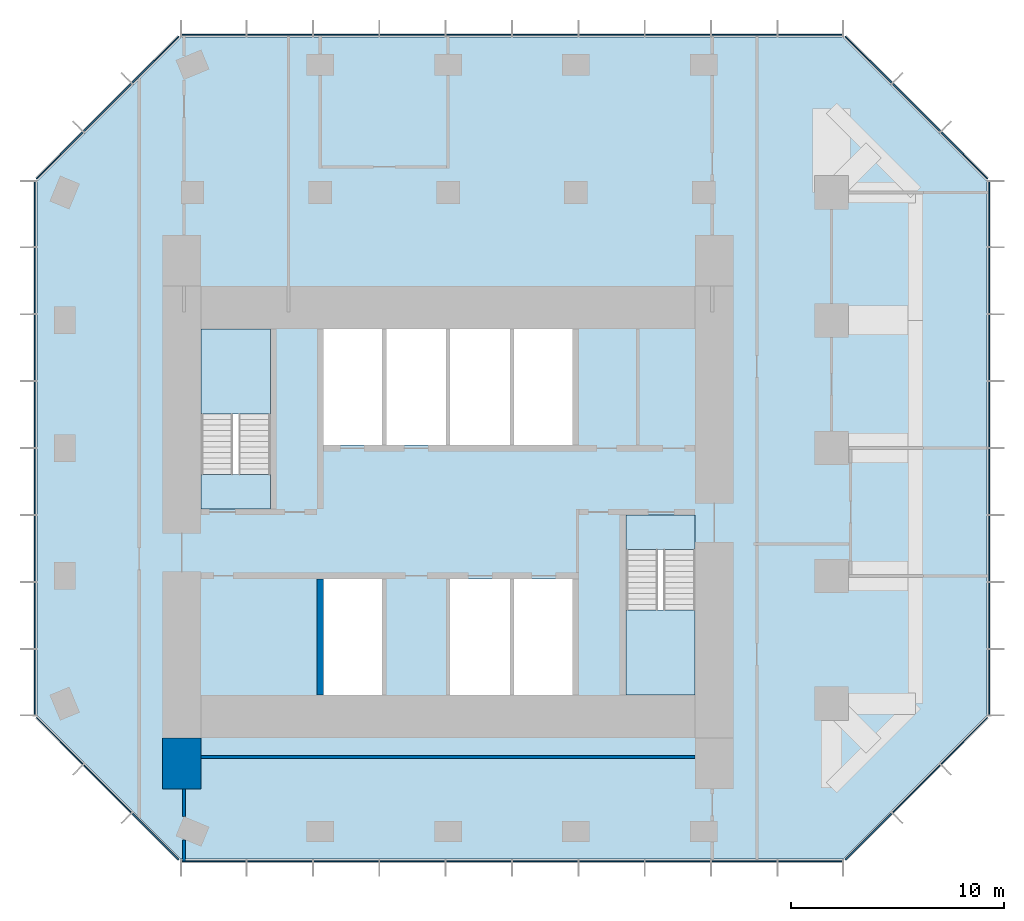
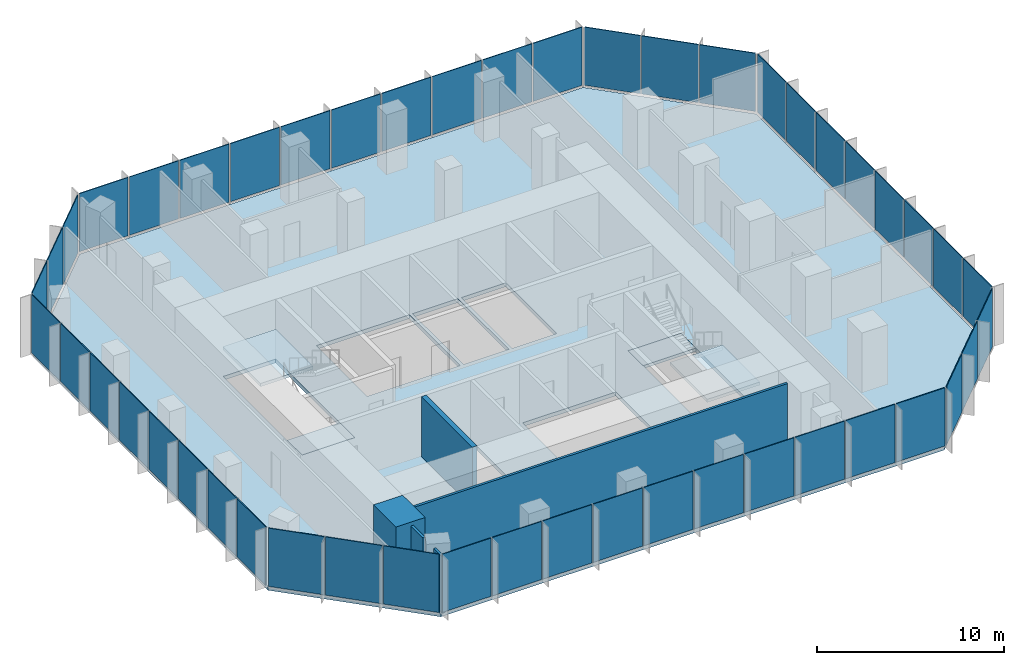
# One storey, part 7 of 10: 48 plates, 5 slabs, 5 walls, 10 elements without a shape of their own.
"""IFC4 building model written with IfcOpenShell, lengths in metres."""

from ifc_helpers import new_model, si_unit, direction, frame, frame_2d, origin, origin_2d, place, context, subcontext, project, spatial, polyline, rectangle, outline, extrude, material, layer, layer_set, type_object, element, aggregate, save


model = new_model("IFC4")

# Units and contexts
model_context = context("Model", 3, precision=1e-05, world=origin(), true_north=direction((0.0, 1.0)))
body_context = subcontext(model_context, "Body", "Model", "MODEL_VIEW")
ifc_project = project(units=[si_unit("LENGTHUNIT", "METRE"), si_unit("AREAUNIT", "SQUARE_METRE"), si_unit("VOLUMEUNIT", "CUBIC_METRE"), si_unit("PLANEANGLEUNIT", "RADIAN"), si_unit("MASSUNIT", "GRAM", prefix="KILO")], contexts=[model_context])

# Site, building, storey
site_placement = place(None, origin())
site = spatial("IfcSite", under=ifc_project, at=site_placement, CompositionType="ELEMENT")
building_placement = place(site_placement, origin())
building = spatial("IfcBuilding", under=site, at=building_placement, Name="Highveld Stack Headquarters", CompositionType="ELEMENT")
storey_placement = place(building_placement, frame((0.0, 0.0, 256.699951171875)))
storey = spatial("IfcBuildingStorey", under=building, at=storey_placement, Name="L63", CompositionType="ELEMENT", Elevation=256.699951171875)

# Curtain wall, plates
ifc_material_1 = material(Name="Aluminium bronze anodised", Category="aluminium")
ifc_layer_1 = layer(ifc_material_1, 0.199951171875)
ifc_layer_set_1 = layer_set([ifc_layer_1], Name="Aluminium bronze anodised")
curtain_wall_type = type_object("IfcCurtainWallType", Name="CW5 EXECUTIVE UNITISED CURTAIN WALL", PredefinedType="NOTDEFINED", material=ifc_layer_set_1)
curtain_wall_1_placement = place(storey_placement, origin())
curtain_wall_1 = element("IfcCurtainWall", 1, at=curtain_wall_1_placement, inside=storey, type_object=curtain_wall_type, Name="Curtain wall CW5 L63 S", PredefinedType="NOTDEFINED")
ifc_material_2 = material(Name="Glass bronze tinted triple glazed unit", Category="glass")
ifc_layer_2 = layer(ifc_material_2, 0.050048828125)
ifc_layer_set_2 = layer_set([ifc_layer_2], Name="Glass bronze tinted triple glazed unit")
plate_type = type_object("IfcPlateType", Name="CW5 PANEL BRONZE TINTED TRIPLE GLAZED UNIT", PredefinedType="CURTAIN_PANEL", material=ifc_layer_set_2)
plate_1_placement = place(storey_placement, frame((-5.005615234375, -13.39990234375, 0.10009765625), z_axis=(0.0, 0.0, 1.0), x_axis=(1.0, 0.0, 0.0)))
plate_1 = element("IfcPlate", 2, at=plate_1_placement, type_object=plate_type, Name="CW5 panel L63 1.1", PredefinedType="CURTAIN_PANEL", context=body_context, shape_type="SweptSolid", body=[
    extrude(rectangle(XDim=3.0185546875, YDim=0.050048828125, at=origin_2d()), origin(), (0.0, 0.0, 1.0), 3.800048828125),
])
plate_2_placement = place(storey_placement, frame((-1.906005859375, -13.39990234375, 0.10009765625), z_axis=(0.0, 0.0, 1.0), x_axis=(1.0, 0.0, 0.0)))
plate_2 = element("IfcPlate", 3, at=plate_2_placement, type_object=plate_type, Name="CW5 panel L63 2.1", PredefinedType="CURTAIN_PANEL", context=body_context, shape_type="SweptSolid", body=[
    extrude(rectangle(XDim=3.051025390625, YDim=0.050048828125, at=origin_2d()), origin(), (0.0, 0.0, 1.0), 3.800048828125),
])
plate_3_placement = place(storey_placement, frame((1.2099609375, -13.39990234375, 0.10009765625), z_axis=(0.0, 0.0, 1.0), x_axis=(1.0, 0.0, 0.0)))
plate_3 = element("IfcPlate", 4, at=plate_3_placement, type_object=plate_type, Name="CW5 panel L63 3.1", PredefinedType="CURTAIN_PANEL", context=body_context, shape_type="SweptSolid", body=[
    extrude(rectangle(XDim=3.051025390625, YDim=0.050048828125, at=origin_2d()), origin(), (0.0, 0.0, 1.0), 3.800048828125),
])
plate_4_placement = place(storey_placement, frame((4.325927734375, -13.39990234375, 0.10009765625), z_axis=(0.0, 0.0, 1.0), x_axis=(1.0, 0.0, 0.0)))
plate_4 = element("IfcPlate", 5, at=plate_4_placement, type_object=plate_type, Name="CW5 panel L63 4.1", PredefinedType="CURTAIN_PANEL", context=body_context, shape_type="SweptSolid", body=[
    extrude(rectangle(XDim=3.051025390625, YDim=0.050048828125, at=origin_2d()), origin(), (0.0, 0.0, 1.0), 3.800048828125),
])
plate_5_placement = place(storey_placement, frame((7.44189453125, -13.39990234375, 0.10009765625), z_axis=(0.0, 0.0, 1.0), x_axis=(1.0, 0.0, 0.0)))
plate_5 = element("IfcPlate", 6, at=plate_5_placement, type_object=plate_type, Name="CW5 panel L63 5.1", PredefinedType="CURTAIN_PANEL", context=body_context, shape_type="SweptSolid", body=[
    extrude(rectangle(XDim=3.051025390625, YDim=0.050048828125, at=origin_2d()), origin(), (0.0, 0.0, 1.0), 3.800048828125),
])
plate_6_placement = place(storey_placement, frame((10.55810546875, -13.39990234375, 0.10009765625), z_axis=(0.0, 0.0, 1.0), x_axis=(1.0, 0.0, 0.0)))
plate_6 = element("IfcPlate", 7, at=plate_6_placement, type_object=plate_type, Name="CW5 panel L63 6.1", PredefinedType="CURTAIN_PANEL", context=body_context, shape_type="SweptSolid", body=[
    extrude(rectangle(XDim=3.051025390625, YDim=0.050048828125, at=origin_2d()), origin(), (0.0, 0.0, 1.0), 3.800048828125),
])
plate_7_placement = place(storey_placement, frame((13.674072265625, -13.39990234375, 0.10009765625), z_axis=(0.0, 0.0, 1.0), x_axis=(1.0, 0.0, 0.0)))
plate_7 = element("IfcPlate", 8, at=plate_7_placement, type_object=plate_type, Name="CW5 panel L63 7.1", PredefinedType="CURTAIN_PANEL", context=body_context, shape_type="SweptSolid", body=[
    extrude(rectangle(XDim=3.051025390625, YDim=0.050048828125, at=origin_2d()), origin(), (0.0, 0.0, 1.0), 3.800048828125),
])
plate_8_placement = place(storey_placement, frame((16.789794921875, -13.39990234375, 0.10009765625), z_axis=(0.0, 0.0, 1.0), x_axis=(1.0, 0.0, 0.0)))
plate_8 = element("IfcPlate", 9, at=plate_8_placement, type_object=plate_type, Name="CW5 panel L63 8.1", PredefinedType="CURTAIN_PANEL", context=body_context, shape_type="SweptSolid", body=[
    extrude(rectangle(XDim=3.051025390625, YDim=0.050048828125, at=origin_2d()), origin(), (0.0, 0.0, 1.0), 3.800048828125),
])
plate_9_placement = place(storey_placement, frame((19.906005859375, -13.39990234375, 0.10009765625), z_axis=(0.0, 0.0, 1.0), x_axis=(1.0, 0.0, 0.0)))
plate_9 = element("IfcPlate", 10, at=plate_9_placement, type_object=plate_type, Name="CW5 panel L63 9.1", PredefinedType="CURTAIN_PANEL", context=body_context, shape_type="SweptSolid", body=[
    extrude(rectangle(XDim=3.051025390625, YDim=0.050048828125, at=origin_2d()), origin(), (0.0, 0.0, 1.0), 3.800048828125),
])
plate_10_placement = place(storey_placement, frame((23.005615234375, -13.39990234375, 0.10009765625), z_axis=(0.0, 0.0, 1.0), x_axis=(1.0, 0.0, 0.0)))
plate_10 = element("IfcPlate", 11, at=plate_10_placement, type_object=plate_type, Name="CW5 panel L63 10.1", PredefinedType="CURTAIN_PANEL", context=body_context, shape_type="SweptSolid", body=[
    extrude(rectangle(XDim=3.0185546875, YDim=0.050048828125, at=origin_2d()), origin(), (0.0, 0.0, 1.0), 3.800048828125),
])
aggregate(curtain_wall_1, [plate_1, plate_2, plate_3, plate_4, plate_5, plate_6, plate_7, plate_8, plate_9, plate_10])

curtain_wall_2_placement = place(storey_placement, origin())
curtain_wall_2 = element("IfcCurtainWall", 12, at=curtain_wall_2_placement, inside=storey, type_object=curtain_wall_type, Name="Curtain wall CW5 L63 SE", PredefinedType="NOTDEFINED")
plate_11_placement = place(storey_placement, frame((25.740478515625, -12.239501953125, 0.10009765625), z_axis=(0.0, 0.0, 1.0), x_axis=(0.707106781187, 0.707106781187, 0.0)))
plate_11 = element("IfcPlate", 13, at=plate_11_placement, type_object=plate_type, Name="CW5 panel L63 1.1", PredefinedType="CURTAIN_PANEL", context=body_context, shape_type="SweptSolid", body=[
    extrude(rectangle(XDim=3.08251953125, YDim=0.050048828125, at=origin_2d()), origin(), (0.0, 0.0, 1.0), 3.800048828125),
])
plate_12_placement = place(storey_placement, frame((27.989990234375, -9.989990234375, 0.10009765625), z_axis=(0.0, 0.0, 1.0), x_axis=(0.707106781187, 0.707106781187, 0.0)))
plate_12 = element("IfcPlate", 14, at=plate_12_placement, type_object=plate_type, Name="CW5 panel L63 2.1", PredefinedType="CURTAIN_PANEL", context=body_context, shape_type="SweptSolid", body=[
    extrude(rectangle(XDim=3.14990234375, YDim=0.050048828125, at=origin_2d()), origin(), (0.0, 0.0, 1.0), 3.800048828125),
])
plate_13_placement = place(storey_placement, frame((30.239501953125, -7.740478515625, 0.10009765625), z_axis=(0.0, 0.0, 1.0), x_axis=(0.707106781187, 0.707106781187, 0.0)))
plate_13 = element("IfcPlate", 15, at=plate_13_placement, type_object=plate_type, Name="CW5 panel L63 3.1", PredefinedType="CURTAIN_PANEL", context=body_context, shape_type="SweptSolid", body=[
    extrude(rectangle(XDim=3.08251953125, YDim=0.050048828125, at=origin_2d()), origin(), (0.0, 0.0, 1.0), 3.800048828125),
])
aggregate(curtain_wall_2, [plate_11, plate_12, plate_13])

curtain_wall_3_placement = place(storey_placement, origin())
curtain_wall_3 = element("IfcCurtainWall", 16, at=curtain_wall_3_placement, inside=storey, type_object=curtain_wall_type, Name="Curtain wall CW5 L63 E", PredefinedType="NOTDEFINED")
plate_14_placement = place(storey_placement, frame((31.39990234375, -4.9912109375, 0.10009765625), z_axis=(0.0, 0.0, 1.0), x_axis=(0.0, 1.0, 0.0)))
plate_14 = element("IfcPlate", 17, at=plate_14_placement, type_object=plate_type, Name="CW5 panel L63 1.1", PredefinedType="CURTAIN_PANEL", context=body_context, shape_type="SweptSolid", body=[
    extrude(rectangle(XDim=3.047607421875, YDim=0.050048828125, at=origin_2d()), origin(), (0.0, 0.0, 1.0), 3.800048828125),
])
plate_15_placement = place(storey_placement, frame((31.39990234375, -1.8623046875, 0.10009765625), z_axis=(0.0, 0.0, 1.0), x_axis=(0.0, 1.0, 0.0)))
plate_15 = element("IfcPlate", 18, at=plate_15_placement, type_object=plate_type, Name="CW5 panel L63 2.1", PredefinedType="CURTAIN_PANEL", context=body_context, shape_type="SweptSolid", body=[
    extrude(rectangle(XDim=3.080078125, YDim=0.050048828125, at=origin_2d()), origin(), (0.0, 0.0, 1.0), 3.800048828125),
])
plate_16_placement = place(storey_placement, frame((31.39990234375, 1.282470703125, 0.10009765625), z_axis=(0.0, 0.0, 1.0), x_axis=(0.0, 1.0, 0.0)))
plate_16 = element("IfcPlate", 19, at=plate_16_placement, type_object=plate_type, Name="CW5 panel L63 3.1", PredefinedType="CURTAIN_PANEL", context=body_context, shape_type="SweptSolid", body=[
    extrude(rectangle(XDim=3.080078125, YDim=0.050048828125, at=origin_2d()), origin(), (0.0, 0.0, 1.0), 3.800048828125),
])
plate_17_placement = place(storey_placement, frame((31.39990234375, 4.427490234375, 0.10009765625), z_axis=(0.0, 0.0, 1.0), x_axis=(0.0, 1.0, 0.0)))
plate_17 = element("IfcPlate", 20, at=plate_17_placement, type_object=plate_type, Name="CW5 panel L63 4.1", PredefinedType="CURTAIN_PANEL", context=body_context, shape_type="SweptSolid", body=[
    extrude(rectangle(XDim=3.080078125, YDim=0.050048828125, at=origin_2d()), origin(), (0.0, 0.0, 1.0), 3.800048828125),
])
plate_18_placement = place(storey_placement, frame((31.39990234375, 7.572509765625, 0.10009765625), z_axis=(0.0, 0.0, 1.0), x_axis=(0.0, 1.0, 0.0)))
plate_18 = element("IfcPlate", 21, at=plate_18_placement, type_object=plate_type, Name="CW5 panel L63 5.1", PredefinedType="CURTAIN_PANEL", context=body_context, shape_type="SweptSolid", body=[
    extrude(rectangle(XDim=3.080078125, YDim=0.050048828125, at=origin_2d()), origin(), (0.0, 0.0, 1.0), 3.800048828125),
])
plate_19_placement = place(storey_placement, frame((31.39990234375, 10.717529296875, 0.10009765625), z_axis=(0.0, 0.0, 1.0), x_axis=(0.0, 1.0, 0.0)))
plate_19 = element("IfcPlate", 22, at=plate_19_placement, type_object=plate_type, Name="CW5 panel L63 6.1", PredefinedType="CURTAIN_PANEL", context=body_context, shape_type="SweptSolid", body=[
    extrude(rectangle(XDim=3.080078125, YDim=0.050048828125, at=origin_2d()), origin(), (0.0, 0.0, 1.0), 3.800048828125),
])
plate_20_placement = place(storey_placement, frame((31.39990234375, 13.8623046875, 0.10009765625), z_axis=(0.0, 0.0, 1.0), x_axis=(0.0, 1.0, 0.0)))
plate_20 = element("IfcPlate", 23, at=plate_20_placement, type_object=plate_type, Name="CW5 panel L63 7.1", PredefinedType="CURTAIN_PANEL", context=body_context, shape_type="SweptSolid", body=[
    extrude(rectangle(XDim=3.080078125, YDim=0.050048828125, at=origin_2d()), origin(), (0.0, 0.0, 1.0), 3.800048828125),
])
plate_21_placement = place(storey_placement, frame((31.39990234375, 16.9912109375, 0.10009765625), z_axis=(0.0, 0.0, 1.0), x_axis=(0.0, 1.0, 0.0)))
plate_21 = element("IfcPlate", 24, at=plate_21_placement, type_object=plate_type, Name="CW5 panel L63 8.1", PredefinedType="CURTAIN_PANEL", context=body_context, shape_type="SweptSolid", body=[
    extrude(rectangle(XDim=3.047607421875, YDim=0.050048828125, at=origin_2d()), origin(), (0.0, 0.0, 1.0), 3.800048828125),
])
aggregate(curtain_wall_3, [plate_14, plate_15, plate_16, plate_17, plate_18, plate_19, plate_20, plate_21])

curtain_wall_4_placement = place(storey_placement, origin())
curtain_wall_4 = element("IfcCurtainWall", 25, at=curtain_wall_4_placement, inside=storey, type_object=curtain_wall_type, Name="Curtain wall CW5 L63 NE", PredefinedType="NOTDEFINED")
plate_22_placement = place(storey_placement, frame((30.239501953125, 19.740478515625, 0.10009765625), z_axis=(0.0, 0.0, 1.0), x_axis=(-0.707106781187, 0.707106781187, 0.0)))
plate_22 = element("IfcPlate", 26, at=plate_22_placement, type_object=plate_type, Name="CW5 panel L63 1.1", PredefinedType="CURTAIN_PANEL", context=body_context, shape_type="SweptSolid", body=[
    extrude(rectangle(XDim=3.08251953125, YDim=0.050048828125, at=origin_2d()), origin(), (0.0, 0.0, 1.0), 3.800048828125),
])
plate_23_placement = place(storey_placement, frame((27.989990234375, 21.989990234375, 0.10009765625), z_axis=(0.0, 0.0, 1.0), x_axis=(-0.707106781187, 0.707106781187, 0.0)))
plate_23 = element("IfcPlate", 27, at=plate_23_placement, type_object=plate_type, Name="CW5 panel L63 2.1", PredefinedType="CURTAIN_PANEL", context=body_context, shape_type="SweptSolid", body=[
    extrude(rectangle(XDim=3.14990234375, YDim=0.050048828125, at=origin_2d()), origin(), (0.0, 0.0, 1.0), 3.800048828125),
])
plate_24_placement = place(storey_placement, frame((25.740478515625, 24.239501953125, 0.10009765625), z_axis=(0.0, 0.0, 1.0), x_axis=(-0.707106781187, 0.707106781187, 0.0)))
plate_24 = element("IfcPlate", 28, at=plate_24_placement, type_object=plate_type, Name="CW5 panel L63 3.1", PredefinedType="CURTAIN_PANEL", context=body_context, shape_type="SweptSolid", body=[
    extrude(rectangle(XDim=3.08251953125, YDim=0.050048828125, at=origin_2d()), origin(), (0.0, 0.0, 1.0), 3.800048828125),
])
aggregate(curtain_wall_4, [plate_22, plate_23, plate_24])

curtain_wall_5_placement = place(storey_placement, origin())
curtain_wall_5 = element("IfcCurtainWall", 29, at=curtain_wall_5_placement, inside=storey, type_object=curtain_wall_type, Name="Curtain wall CW5 L63 N", PredefinedType="NOTDEFINED")
plate_25_placement = place(storey_placement, frame((23.005615234375, 25.39990234375, 0.10009765625), z_axis=(0.0, 0.0, 1.0), x_axis=(-1.0, 0.0, 0.0)))
plate_25 = element("IfcPlate", 30, at=plate_25_placement, type_object=plate_type, Name="CW5 panel L63 1.1", PredefinedType="CURTAIN_PANEL", context=body_context, shape_type="SweptSolid", body=[
    extrude(rectangle(XDim=3.0185546875, YDim=0.050048828125, at=origin_2d()), origin(), (0.0, 0.0, 1.0), 3.800048828125),
])
plate_26_placement = place(storey_placement, frame((19.906005859375, 25.39990234375, 0.10009765625), z_axis=(0.0, 0.0, 1.0), x_axis=(-1.0, 0.0, 0.0)))
plate_26 = element("IfcPlate", 31, at=plate_26_placement, type_object=plate_type, Name="CW5 panel L63 2.1", PredefinedType="CURTAIN_PANEL", context=body_context, shape_type="SweptSolid", body=[
    extrude(rectangle(XDim=3.051025390625, YDim=0.050048828125, at=origin_2d()), origin(), (0.0, 0.0, 1.0), 3.800048828125),
])
plate_27_placement = place(storey_placement, frame((16.7900390625, 25.39990234375, 0.10009765625), z_axis=(0.0, 0.0, 1.0), x_axis=(-1.0, 0.0, 0.0)))
plate_27 = element("IfcPlate", 32, at=plate_27_placement, type_object=plate_type, Name="CW5 panel L63 3.1", PredefinedType="CURTAIN_PANEL", context=body_context, shape_type="SweptSolid", body=[
    extrude(rectangle(XDim=3.051025390625, YDim=0.050048828125, at=origin_2d()), origin(), (0.0, 0.0, 1.0), 3.800048828125),
])
plate_28_placement = place(storey_placement, frame((13.674072265625, 25.39990234375, 0.10009765625), z_axis=(0.0, 0.0, 1.0), x_axis=(-1.0, 0.0, 0.0)))
plate_28 = element("IfcPlate", 33, at=plate_28_placement, type_object=plate_type, Name="CW5 panel L63 4.1", PredefinedType="CURTAIN_PANEL", context=body_context, shape_type="SweptSolid", body=[
    extrude(rectangle(XDim=3.051025390625, YDim=0.050048828125, at=origin_2d()), origin(), (0.0, 0.0, 1.0), 3.800048828125),
])
plate_29_placement = place(storey_placement, frame((10.55810546875, 25.39990234375, 0.10009765625), z_axis=(0.0, 0.0, 1.0), x_axis=(-1.0, 0.0, 0.0)))
plate_29 = element("IfcPlate", 34, at=plate_29_placement, type_object=plate_type, Name="CW5 panel L63 5.1", PredefinedType="CURTAIN_PANEL", context=body_context, shape_type="SweptSolid", body=[
    extrude(rectangle(XDim=3.051025390625, YDim=0.050048828125, at=origin_2d()), origin(), (0.0, 0.0, 1.0), 3.800048828125),
])
plate_30_placement = place(storey_placement, frame((7.44189453125, 25.39990234375, 0.10009765625), z_axis=(0.0, 0.0, 1.0), x_axis=(-1.0, 0.0, 0.0)))
plate_30 = element("IfcPlate", 35, at=plate_30_placement, type_object=plate_type, Name="CW5 panel L63 6.1", PredefinedType="CURTAIN_PANEL", context=body_context, shape_type="SweptSolid", body=[
    extrude(rectangle(XDim=3.051025390625, YDim=0.050048828125, at=origin_2d()), origin(), (0.0, 0.0, 1.0), 3.800048828125),
])
plate_31_placement = place(storey_placement, frame((4.325927734375, 25.39990234375, 0.10009765625), z_axis=(0.0, 0.0, 1.0), x_axis=(-1.0, 0.0, 0.0)))
plate_31 = element("IfcPlate", 36, at=plate_31_placement, type_object=plate_type, Name="CW5 panel L63 7.1", PredefinedType="CURTAIN_PANEL", context=body_context, shape_type="SweptSolid", body=[
    extrude(rectangle(XDim=3.051025390625, YDim=0.050048828125, at=origin_2d()), origin(), (0.0, 0.0, 1.0), 3.800048828125),
])
plate_32_placement = place(storey_placement, frame((1.210205078125, 25.39990234375, 0.10009765625), z_axis=(0.0, 0.0, 1.0), x_axis=(-1.0, 0.0, 0.0)))
plate_32 = element("IfcPlate", 37, at=plate_32_placement, type_object=plate_type, Name="CW5 panel L63 8.1", PredefinedType="CURTAIN_PANEL", context=body_context, shape_type="SweptSolid", body=[
    extrude(rectangle(XDim=3.051025390625, YDim=0.050048828125, at=origin_2d()), origin(), (0.0, 0.0, 1.0), 3.800048828125),
])
plate_33_placement = place(storey_placement, frame((-1.906005859375, 25.39990234375, 0.10009765625), z_axis=(0.0, 0.0, 1.0), x_axis=(-1.0, 0.0, 0.0)))
plate_33 = element("IfcPlate", 38, at=plate_33_placement, type_object=plate_type, Name="CW5 panel L63 9.1", PredefinedType="CURTAIN_PANEL", context=body_context, shape_type="SweptSolid", body=[
    extrude(rectangle(XDim=3.051025390625, YDim=0.050048828125, at=origin_2d()), origin(), (0.0, 0.0, 1.0), 3.800048828125),
])
plate_34_placement = place(storey_placement, frame((-5.005615234375, 25.39990234375, 0.10009765625), z_axis=(0.0, 0.0, 1.0), x_axis=(-1.0, 0.0, 0.0)))
plate_34 = element("IfcPlate", 39, at=plate_34_placement, type_object=plate_type, Name="CW5 panel L63 10.1", PredefinedType="CURTAIN_PANEL", context=body_context, shape_type="SweptSolid", body=[
    extrude(rectangle(XDim=3.0185546875, YDim=0.050048828125, at=origin_2d()), origin(), (0.0, 0.0, 1.0), 3.800048828125),
])
aggregate(curtain_wall_5, [plate_25, plate_26, plate_27, plate_28, plate_29, plate_30, plate_31, plate_32, plate_33, plate_34])

curtain_wall_6_placement = place(storey_placement, origin())
curtain_wall_6 = element("IfcCurtainWall", 40, at=curtain_wall_6_placement, inside=storey, type_object=curtain_wall_type, Name="Curtain wall CW5 L63 NW", PredefinedType="NOTDEFINED")
plate_35_placement = place(storey_placement, frame((-7.740478515625, 24.239501953125, 0.10009765625), z_axis=(0.0, 0.0, 1.0), x_axis=(-0.707106781187, -0.707106781187, 0.0)))
plate_35 = element("IfcPlate", 41, at=plate_35_placement, type_object=plate_type, Name="CW5 panel L63 1.1", PredefinedType="CURTAIN_PANEL", context=body_context, shape_type="SweptSolid", body=[
    extrude(rectangle(XDim=3.08251953125, YDim=0.050048828125, at=origin_2d()), origin(), (0.0, 0.0, 1.0), 3.800048828125),
])
plate_36_placement = place(storey_placement, frame((-9.989990234375, 21.989990234375, 0.10009765625), z_axis=(0.0, 0.0, 1.0), x_axis=(-0.707106781187, -0.707106781187, 0.0)))
plate_36 = element("IfcPlate", 42, at=plate_36_placement, type_object=plate_type, Name="CW5 panel L63 2.1", PredefinedType="CURTAIN_PANEL", context=body_context, shape_type="SweptSolid", body=[
    extrude(rectangle(XDim=3.14990234375, YDim=0.050048828125, at=origin_2d()), origin(), (0.0, 0.0, 1.0), 3.800048828125),
])
plate_37_placement = place(storey_placement, frame((-12.239501953125, 19.740478515625, 0.10009765625), z_axis=(0.0, 0.0, 1.0), x_axis=(-0.707106781187, -0.707106781187, 0.0)))
plate_37 = element("IfcPlate", 43, at=plate_37_placement, type_object=plate_type, Name="CW5 panel L63 3.1", PredefinedType="CURTAIN_PANEL", context=body_context, shape_type="SweptSolid", body=[
    extrude(rectangle(XDim=3.08251953125, YDim=0.050048828125, at=origin_2d()), origin(), (0.0, 0.0, 1.0), 3.800048828125),
])
aggregate(curtain_wall_6, [plate_35, plate_36, plate_37])

curtain_wall_7_placement = place(storey_placement, origin())
curtain_wall_7 = element("IfcCurtainWall", 44, at=curtain_wall_7_placement, inside=storey, type_object=curtain_wall_type, Name="Curtain wall CW5 L63 W", PredefinedType="NOTDEFINED")
plate_38_placement = place(storey_placement, frame((-13.39990234375, 16.9912109375, 0.10009765625), z_axis=(0.0, 0.0, 1.0), x_axis=(0.0, -1.0, 0.0)))
plate_38 = element("IfcPlate", 45, at=plate_38_placement, type_object=plate_type, Name="CW5 panel L63 1.1", PredefinedType="CURTAIN_PANEL", context=body_context, shape_type="SweptSolid", body=[
    extrude(rectangle(XDim=3.047607421875, YDim=0.050048828125, at=origin_2d()), origin(), (0.0, 0.0, 1.0), 3.800048828125),
])
plate_39_placement = place(storey_placement, frame((-13.39990234375, 13.8623046875, 0.10009765625), z_axis=(0.0, 0.0, 1.0), x_axis=(0.0, -1.0, 0.0)))
plate_39 = element("IfcPlate", 46, at=plate_39_placement, type_object=plate_type, Name="CW5 panel L63 2.1", PredefinedType="CURTAIN_PANEL", context=body_context, shape_type="SweptSolid", body=[
    extrude(rectangle(XDim=3.080078125, YDim=0.050048828125, at=origin_2d()), origin(), (0.0, 0.0, 1.0), 3.800048828125),
])
plate_40_placement = place(storey_placement, frame((-13.39990234375, 10.717529296875, 0.10009765625), z_axis=(0.0, 0.0, 1.0), x_axis=(0.0, -1.0, 0.0)))
plate_40 = element("IfcPlate", 47, at=plate_40_placement, type_object=plate_type, Name="CW5 panel L63 3.1", PredefinedType="CURTAIN_PANEL", context=body_context, shape_type="SweptSolid", body=[
    extrude(rectangle(XDim=3.080078125, YDim=0.050048828125, at=origin_2d()), origin(), (0.0, 0.0, 1.0), 3.800048828125),
])
plate_41_placement = place(storey_placement, frame((-13.39990234375, 7.572509765625, 0.10009765625), z_axis=(0.0, 0.0, 1.0), x_axis=(0.0, -1.0, 0.0)))
plate_41 = element("IfcPlate", 48, at=plate_41_placement, type_object=plate_type, Name="CW5 panel L63 4.1", PredefinedType="CURTAIN_PANEL", context=body_context, shape_type="SweptSolid", body=[
    extrude(rectangle(XDim=3.080078125, YDim=0.050048828125, at=origin_2d()), origin(), (0.0, 0.0, 1.0), 3.800048828125),
])
plate_42_placement = place(storey_placement, frame((-13.39990234375, 4.427490234375, 0.10009765625), z_axis=(0.0, 0.0, 1.0), x_axis=(0.0, -1.0, 0.0)))
plate_42 = element("IfcPlate", 49, at=plate_42_placement, type_object=plate_type, Name="CW5 panel L63 5.1", PredefinedType="CURTAIN_PANEL", context=body_context, shape_type="SweptSolid", body=[
    extrude(rectangle(XDim=3.080078125, YDim=0.050048828125, at=origin_2d()), origin(), (0.0, 0.0, 1.0), 3.800048828125),
])
plate_43_placement = place(storey_placement, frame((-13.39990234375, 1.282470703125, 0.10009765625), z_axis=(0.0, 0.0, 1.0), x_axis=(0.0, -1.0, 0.0)))
plate_43 = element("IfcPlate", 50, at=plate_43_placement, type_object=plate_type, Name="CW5 panel L63 6.1", PredefinedType="CURTAIN_PANEL", context=body_context, shape_type="SweptSolid", body=[
    extrude(rectangle(XDim=3.080078125, YDim=0.050048828125, at=origin_2d()), origin(), (0.0, 0.0, 1.0), 3.800048828125),
])
plate_44_placement = place(storey_placement, frame((-13.39990234375, -1.8623046875, 0.10009765625), z_axis=(0.0, 0.0, 1.0), x_axis=(0.0, -1.0, 0.0)))
plate_44 = element("IfcPlate", 51, at=plate_44_placement, type_object=plate_type, Name="CW5 panel L63 7.1", PredefinedType="CURTAIN_PANEL", context=body_context, shape_type="SweptSolid", body=[
    extrude(rectangle(XDim=3.080078125, YDim=0.050048828125, at=origin_2d()), origin(), (0.0, 0.0, 1.0), 3.800048828125),
])
plate_45_placement = place(storey_placement, frame((-13.39990234375, -4.9912109375, 0.10009765625), z_axis=(0.0, 0.0, 1.0), x_axis=(0.0, -1.0, 0.0)))
plate_45 = element("IfcPlate", 52, at=plate_45_placement, type_object=plate_type, Name="CW5 panel L63 8.1", PredefinedType="CURTAIN_PANEL", context=body_context, shape_type="SweptSolid", body=[
    extrude(rectangle(XDim=3.047607421875, YDim=0.050048828125, at=origin_2d()), origin(), (0.0, 0.0, 1.0), 3.800048828125),
])
aggregate(curtain_wall_7, [plate_38, plate_39, plate_40, plate_41, plate_42, plate_43, plate_44, plate_45])

curtain_wall_8_placement = place(storey_placement, origin())
curtain_wall_8 = element("IfcCurtainWall", 53, at=curtain_wall_8_placement, inside=storey, type_object=curtain_wall_type, Name="Curtain wall CW5 L63 SW", PredefinedType="NOTDEFINED")
plate_46_placement = place(storey_placement, frame((-12.239501953125, -7.740478515625, 0.10009765625), z_axis=(0.0, 0.0, 1.0), x_axis=(0.707106781187, -0.707106781187, 0.0)))
plate_46 = element("IfcPlate", 54, at=plate_46_placement, type_object=plate_type, Name="CW5 panel L63 1.1", PredefinedType="CURTAIN_PANEL", context=body_context, shape_type="SweptSolid", body=[
    extrude(rectangle(XDim=3.08251953125, YDim=0.050048828125, at=origin_2d()), origin(), (0.0, 0.0, 1.0), 3.800048828125),
])
plate_47_placement = place(storey_placement, frame((-9.989990234375, -9.989990234375, 0.10009765625), z_axis=(0.0, 0.0, 1.0), x_axis=(0.707106781187, -0.707106781187, 0.0)))
plate_47 = element("IfcPlate", 55, at=plate_47_placement, type_object=plate_type, Name="CW5 panel L63 2.1", PredefinedType="CURTAIN_PANEL", context=body_context, shape_type="SweptSolid", body=[
    extrude(rectangle(XDim=3.14990234375, YDim=0.050048828125, at=origin_2d()), origin(), (0.0, 0.0, 1.0), 3.800048828125),
])
plate_48_placement = place(storey_placement, frame((-7.740478515625, -12.239501953125, 0.10009765625), z_axis=(0.0, 0.0, 1.0), x_axis=(0.707106781187, -0.707106781187, 0.0)))
plate_48 = element("IfcPlate", 56, at=plate_48_placement, type_object=plate_type, Name="CW5 panel L63 3.1", PredefinedType="CURTAIN_PANEL", context=body_context, shape_type="SweptSolid", body=[
    extrude(rectangle(XDim=3.08251953125, YDim=0.050048828125, at=origin_2d()), origin(), (0.0, 0.0, 1.0), 3.800048828125),
])
aggregate(curtain_wall_8, [plate_46, plate_47, plate_48])

# Slab
ifc_material_3 = material(Name="Concrete C60/75", Category="concrete")
ifc_layer_3 = layer(ifc_material_3, 0.25)
ifc_layer_set_3 = layer_set([ifc_layer_3], Name="Concrete C60/75")
slab_type_1 = type_object("IfcSlabType", Name="PT FLAT SLAB 250", PredefinedType="FLOOR", material=ifc_layer_set_3)
slab_1_placement = place(storey_placement, frame((0.0, 0.0, -0.25)))
element("IfcSlab", 57, at=slab_1_placement, inside=storey, type_object=slab_type_1, Name="Floor slab L63", PredefinedType="FLOOR", context=body_context, shape_type="SweptSolid", body=[
    extrude(outline(polyline([(-6.53857421875, -13.300048828125), (24.53857421875, -13.300048828125), (31.300048828125, -6.53857421875), (31.300048828125, 18.53857421875), (24.53857421875, 25.300048828125), (-6.53857421875, 25.300048828125), (-13.300048828125, 18.53857421875), (-13.300048828125, -6.53857421875), (-6.53857421875, -13.300048828125)]), holes=[polyline([(0.14990234375, 6.14990234375), (5.89990234375, 6.14990234375), (5.89990234375, 11.60009765625), (0.14990234375, 11.60009765625), (0.14990234375, 6.14990234375)]), polyline([(9.10009765625, 6.14990234375), (11.85009765625, 6.14990234375), (11.85009765625, 11.60009765625), (9.10009765625, 11.60009765625), (9.10009765625, 6.14990234375)]), polyline([(6.10009765625, 6.14990234375), (8.89990234375, 6.14990234375), (8.89990234375, 11.60009765625), (6.10009765625, 11.60009765625), (6.10009765625, 6.14990234375)]), polyline([(6.10009765625, -5.60009765625), (11.85009765625, -5.60009765625), (11.85009765625, -0.14990234375), (6.10009765625, -0.14990234375), (6.10009765625, -5.60009765625)]), polyline([(0.14990234375, -5.60009765625), (2.89990234375, -5.60009765625), (2.89990234375, -0.14990234375), (0.14990234375, -0.14990234375), (0.14990234375, -5.60009765625)]), polyline([(-5.60009765625, 3.14990234375), (-2.35009765625, 3.14990234375), (-2.35009765625, 11.60009765625), (-5.60009765625, 11.60009765625), (-5.60009765625, 3.14990234375)]), polyline([(14.35009765625, -5.60009765625), (17.60009765625, -5.60009765625), (17.60009765625, 2.85009765625), (14.35009765625, 2.85009765625), (14.35009765625, -5.60009765625)])]), origin(), (0.0, 0.0, 1.0), 0.25),
])

# Stair, slabs
ifc_material_4 = material(Name="Concrete C40/50, precast", Category="concrete")
stair_type_1 = type_object("IfcStairType", Name="STAIR S1 HALF TURN 1500", PredefinedType="HALF_TURN_STAIR", material=ifc_material_4)
stair_1_placement = place(storey_placement, origin())
stair_1 = element("IfcStair", 58, at=stair_1_placement, inside=storey, type_object=stair_type_1, Name="Stair S1 L63", PredefinedType="HALF_TURN_STAIR")
ifc_material_5 = material(Name="Concrete C40/50, precast", Category="concrete")
ifc_layer_4 = layer(ifc_material_5, 0.199951171875)
ifc_layer_set_4 = layer_set([ifc_layer_4], Name="Concrete C40/50, precast")
slab_type_2 = type_object("IfcSlabType", Name="STAIR LANDING 200", PredefinedType="LANDING", material=ifc_layer_set_4)
slab_2_placement = place(storey_placement, frame((0.0, 0.0, 1.75)))
slab_2 = element("IfcSlab", 59, at=slab_2_placement, type_object=slab_type_2, Name="S1 landing 1", PredefinedType="LANDING", context=body_context, shape_type="SweptSolid", body=[
    extrude(outline(polyline([(-5.60009765625, 7.610107421875), (-2.35009765625, 7.610107421875), (-2.35009765625, 11.60009765625), (-5.60009765625, 11.60009765625), (-5.60009765625, 7.610107421875)])), origin(), (0.0, 0.0, 1.0), 0.199951171875),
])
slab_3_placement = place(storey_placement, frame((0.0, 0.0, -0.199951171875)))
slab_3 = element("IfcSlab", 60, at=slab_3_placement, type_object=slab_type_2, Name="S1 landing 2", PredefinedType="LANDING", context=body_context, shape_type="SweptSolid", body=[
    extrude(outline(polyline([(-5.60009765625, 3.14990234375), (-2.35009765625, 3.14990234375), (-2.35009765625, 4.75), (-5.60009765625, 4.75), (-5.60009765625, 3.14990234375)])), origin(), (0.0, 0.0, 1.0), 0.199951171875),
])
aggregate(stair_1, [slab_2, slab_3])

ifc_material_6 = material(Name="Concrete C40/50, precast", Category="concrete")
stair_type_2 = type_object("IfcStairType", Name="STAIR S2 HALF TURN 1500", PredefinedType="HALF_TURN_STAIR", material=ifc_material_6)
stair_2_placement = place(storey_placement, origin())
stair_2 = element("IfcStair", 61, at=stair_2_placement, inside=storey, type_object=stair_type_2, Name="Stair S2 L63", PredefinedType="HALF_TURN_STAIR")
slab_4_placement = place(storey_placement, frame((0.0, 0.0, 1.75)))
slab_4 = element("IfcSlab", 62, at=slab_4_placement, type_object=slab_type_2, Name="S2 landing 1", PredefinedType="LANDING", context=body_context, shape_type="SweptSolid", body=[
    extrude(outline(polyline([(14.35009765625, -5.60009765625), (17.60009765625, -5.60009765625), (17.60009765625, -1.610107421875), (14.35009765625, -1.610107421875), (14.35009765625, -5.60009765625)])), origin(), (0.0, 0.0, 1.0), 0.199951171875),
])
slab_5_placement = place(storey_placement, frame((0.0, 0.0, -0.199951171875)))
slab_5 = element("IfcSlab", 63, at=slab_5_placement, type_object=slab_type_2, Name="S2 landing 2", PredefinedType="LANDING", context=body_context, shape_type="SweptSolid", body=[
    extrude(outline(polyline([(14.35009765625, 1.25), (17.60009765625, 1.25), (17.60009765625, 2.85009765625), (14.35009765625, 2.85009765625), (14.35009765625, 1.25)])), origin(), (0.0, 0.0, 1.0), 0.199951171875),
])
aggregate(stair_2, [slab_4, slab_5])

# Walls
ifc_material_7 = material(Name="Concrete C60/75", Category="concrete")
ifc_layer_5 = layer(ifc_material_7, 0.300048828125)
ifc_layer_set_5 = layer_set([ifc_layer_5], Name="Concrete C60/75")
wall_type_1 = type_object("IfcWallType", Name="CORE WALL 300 C60/75", PredefinedType="SHEAR", material=ifc_layer_set_5)
wall_1_placement = place(storey_placement, frame((0.0, -5.60009765625, 0.0), z_axis=(0.0, 0.0, 1.0), x_axis=(0.0, 1.0, 0.0)))
element("IfcWall", 64, at=wall_1_placement, inside=storey, type_object=wall_type_1, Name="Core wall I-X0S L63", PredefinedType="SHEAR", context=body_context, shape_type="SweptSolid", body=[
    extrude(rectangle(XDim=5.4501953125, YDim=0.300048828125, at=frame_2d((2.72509765625, 0.0))), origin(), (0.0, 0.0, 1.0), 3.900146484375),
])
ifc_material_8 = material(Name="Concrete C60/75", Category="concrete")
ifc_layer_6 = layer(ifc_material_8, 1.800048828125)
ifc_layer_set_6 = layer_set([ifc_layer_6], Name="Concrete C60/75")
wall_type_2 = type_object("IfcWallType", Name="CORE WING WALL 1800 C60/75", PredefinedType="SHEAR", material=ifc_layer_set_6)
wall_2_placement = place(storey_placement, frame((-6.5, -10.0, 0.0), z_axis=(0.0, 0.0, 1.0), x_axis=(0.0, 1.0, 0.0)))
element("IfcWall", 65, at=wall_2_placement, inside=storey, type_object=wall_type_2, Name="Core wing wall WS L63", PredefinedType="SHEAR", context=body_context, shape_type="SweptSolid", body=[
    extrude(rectangle(XDim=2.39990234375, YDim=1.800048828125, at=frame_2d((1.199951171875, 0.0))), origin(), (0.0, 0.0, 1.0), 3.900146484375),
])
ifc_material_9 = material(Name="Gypsum plasterboard on steel studs", Category="steel")
ifc_layer_7 = layer(ifc_material_9, 0.14990234375)
ifc_layer_set_7 = layer_set([ifc_layer_7], Name="Gypsum plasterboard on steel studs")
wall_type_3 = type_object("IfcWallType", Name="PARTITION 150 PLASTERBOARD", PredefinedType="PARTITIONING", material=ifc_layer_set_7)
wall_3_placement = place(storey_placement, frame((-6.39990234375, -13.375, 0.0), z_axis=(0.0, 0.0, 1.0), x_axis=(0.0, 1.0, 0.0)))
element("IfcWall", 66, at=wall_3_placement, inside=storey, type_object=wall_type_3, Name="Partition office neighbourhood L63", PredefinedType="PARTITIONING", context=body_context, shape_type="SweptSolid", body=[
    extrude(rectangle(XDim=0.968505859375, YDim=0.14990234375, at=frame_2d((0.484375, 0.0))), origin(), (0.0, 0.0, 1.0), 3.650146484375),
])
wall_4_placement = place(storey_placement, frame((-6.39990234375, -11.289306640625, 0.0), z_axis=(0.0, 0.0, 1.0), x_axis=(0.0, 1.0, 0.0)))
element("IfcWall", 67, at=wall_4_placement, inside=storey, type_object=wall_type_3, Name="Partition office neighbourhood L63", PredefinedType="PARTITIONING", context=body_context, shape_type="SweptSolid", body=[
    extrude(rectangle(XDim=1.289306640625, YDim=0.14990234375, at=frame_2d((0.64453125, 0.0))), origin(), (0.0, 0.0, 1.0), 3.650146484375),
])
wall_5_placement = place(storey_placement, frame((-5.60009765625, -8.5, 0.0), z_axis=(0.0, 0.0, 1.0), x_axis=(1.0, 0.0, 0.0)))
element("IfcWall", 68, at=wall_5_placement, inside=storey, type_object=wall_type_3, Name="Partition office neighbourhood L63", PredefinedType="PARTITIONING", context=body_context, shape_type="SweptSolid", body=[
    extrude(rectangle(XDim=23.2001953125, YDim=0.14990234375, at=frame_2d((11.60009765625, 0.0))), origin(), (0.0, 0.0, 1.0), 3.650146484375),
])

save(model, "model.ifc")
